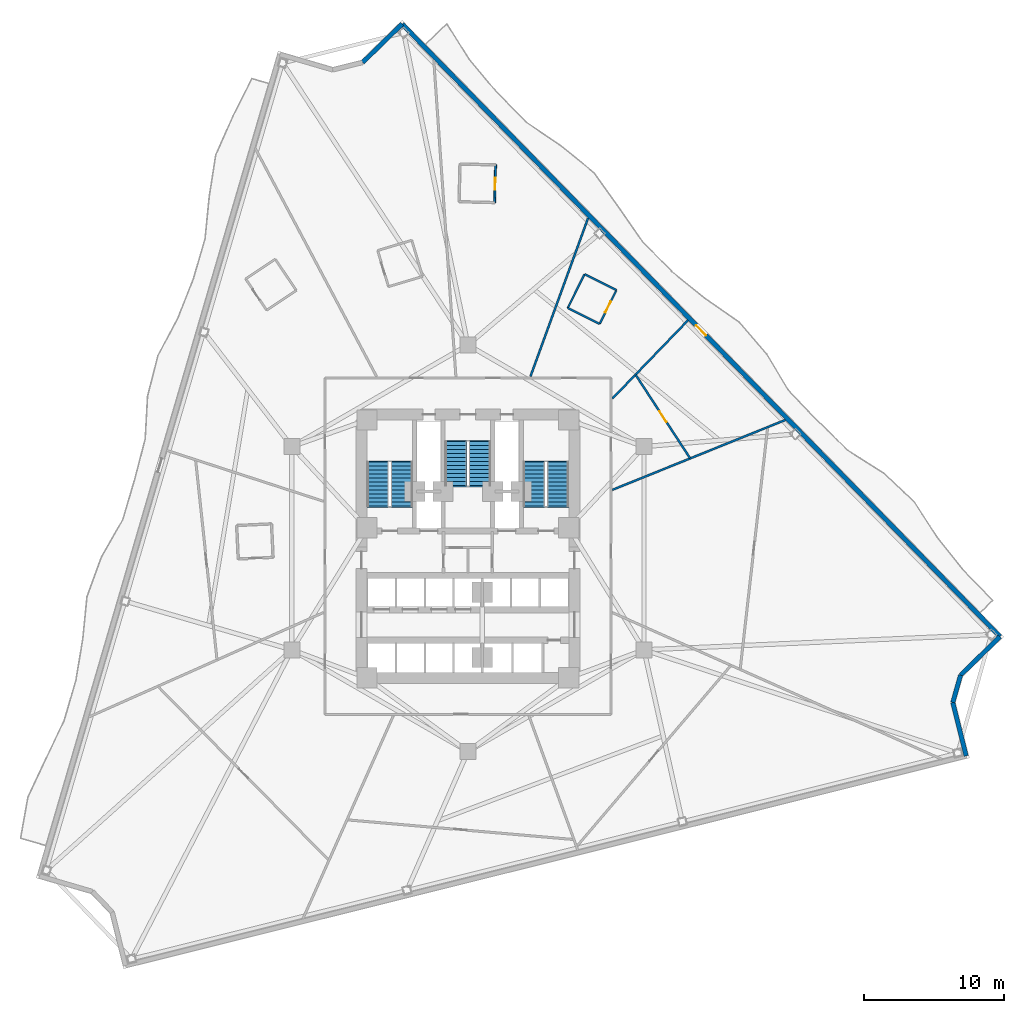
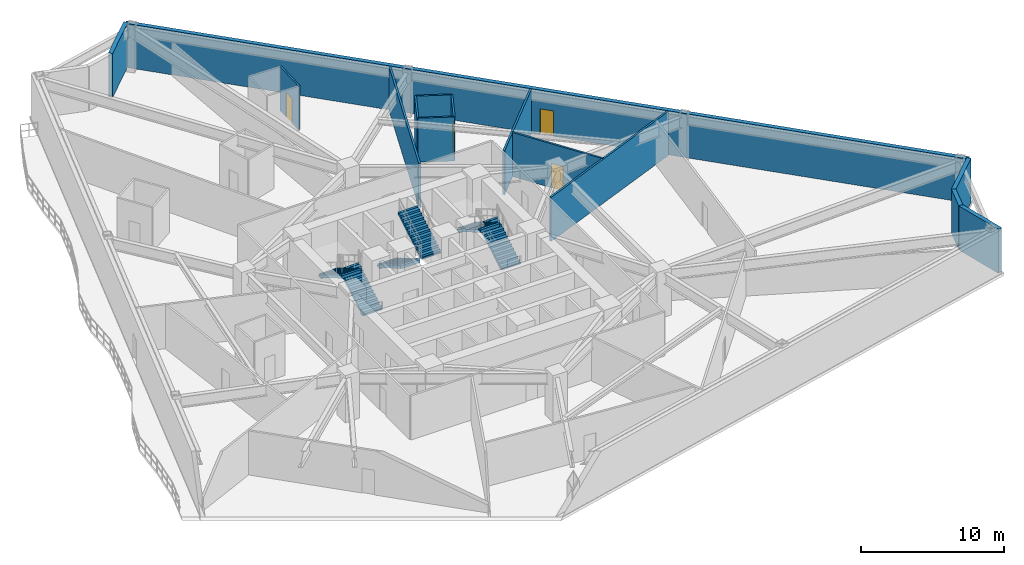
# One storey, part 6 of 9: 14 walls, 6 stair flights, 4 doors, 4 openings, 3 elements without a shape of their own.
"""IFC4 building model written with IfcOpenShell, lengths in metres."""

from ifc_helpers import new_model, si_unit, direction, frame, frame_2d, origin, place, context, subcontext, project, spatial, polyline, rectangle, outline, extrude, material, layer, layer_set, type_object, element, fill, aggregate, save


model = new_model("IFC4")

# Units and contexts
model_context = context("Model", 3, precision=1e-05, world=origin(), true_north=direction((0.0, 1.0)))
body_context = subcontext(model_context, "Body", "Model", "MODEL_VIEW")
ifc_project = project(units=[si_unit("LENGTHUNIT", "METRE"), si_unit("AREAUNIT", "SQUARE_METRE"), si_unit("VOLUMEUNIT", "CUBIC_METRE"), si_unit("PLANEANGLEUNIT", "RADIAN"), si_unit("MASSUNIT", "GRAM", prefix="KILO")], contexts=[model_context])

# Site, building, storey
site_placement = place(None, origin())
site = spatial("IfcSite", under=ifc_project, at=site_placement, CompositionType="ELEMENT")
building_placement = place(site_placement, origin())
building = spatial("IfcBuilding", under=site, at=building_placement, Name="Apsidion Concourse Tower", CompositionType="ELEMENT")
storey_placement = place(building_placement, frame((0.0, 0.0, 103.0)))
storey = spatial("IfcBuildingStorey", under=building, at=storey_placement, Name="L23", CompositionType="ELEMENT", Elevation=103.0)

# Wall, opening, door
ifc_material_1 = material(Name="Precast concrete C40/50", Category="concrete")
ifc_layer_1 = layer(ifc_material_1, 0.320068359375)
ifc_layer_set_1 = layer_set([ifc_layer_1], Name="Precast concrete C40/50")
wall_type_1 = type_object("IfcWallType", Name="WL-EXT-320", PredefinedType="STANDARD", material=ifc_layer_set_1)
wall_1_placement = place(storey_placement, frame((-4.6982421875, 37.40185546875, 0.0), z_axis=(0.0, 0.0, 1.0), x_axis=(0.698490621109, -0.715619208954, 0.0)))
wall_1 = element("IfcWall", 1, at=wall_1_placement, inside=storey, type_object=wall_type_1, Name="L23 Precast Stone Facade Wall 01", PredefinedType="STANDARD", context=body_context, shape_type="SweptSolid", body=[
    extrude(rectangle(XDim=61.075927734375, YDim=0.320068359375, at=frame_2d((30.5380859375, 0.0))), origin(), (0.0, 0.0, 1.0), 3.75),
])
opening_1_placement = place(wall_1_placement, frame((30.037841796875, 0.0, 0.0)))
opening_1 = element("IfcOpeningElement", 2, at=opening_1_placement, cuts=wall_1, Name="Opening D-T1R", PredefinedType="OPENING", context=body_context, shape_type="SweptSolid", body=[
    extrude(rectangle(XDim=1.0, YDim=2.14990234375, at=frame_2d((0.5, 1.074951171875))), frame((0.0, 0.169921875, 0.0), z_axis=(0.0, -1.0, 0.0), x_axis=(1.0, 0.0, 0.0)), (0.0, 0.0, 1.0), 0.340087890625),
])
ifc_material_2 = material(Name="Anodised aluminium EN AW-6063 T6", Category="aluminium")
door_type_1 = type_object("IfcDoorType", Name="DR-TER-1022R", OperationType="SINGLE_SWING_RIGHT", PredefinedType="DOOR", material=ifc_material_2)
door_1_placement = place(opening_1_placement, origin())
door_1 = element("IfcDoor", 3, at=door_1_placement, inside=storey, type_object=door_type_1, Name="L23 Balcony Access Door 1", OperationType="SINGLE_SWING_RIGHT", OverallHeight=2.14990234375, OverallWidth=1.0, PredefinedType="DOOR", context=body_context, shape_type="SweptSolid", body=[
    extrude(rectangle(XDim=1.0, YDim=2.14990234375, at=frame_2d((0.5, 1.074951171875))), frame((0.0, 0.02490234375, 0.0), z_axis=(0.0, -1.0, 0.0), x_axis=(1.0, 0.0, 0.0)), (0.0, 0.0, 1.0), 0.050048828125),
])
fill(opening_1, door_1)

# Walls
wall_2_placement = place(storey_placement, frame((37.962646484375, -6.30517578125, 0.0), z_axis=(0.0, 0.0, 1.0), x_axis=(-0.71562223009, -0.698487525873, 0.0)))
element("IfcWall", 4, at=wall_2_placement, inside=storey, type_object=wall_type_1, Name="L23 Precast Stone Facade Wall 02", PredefinedType="STANDARD", context=body_context, shape_type="SweptSolid", body=[
    extrude(rectangle(XDim=3.9326171875, YDim=0.320068359375, at=frame_2d((1.96630859375, 0.0))), origin(), (0.0, 0.0, 1.0), 3.75),
])
wall_3_placement = place(storey_placement, frame((35.1484375, -9.052001953125, 0.0), z_axis=(0.0, 0.0, 1.0), x_axis=(-0.27306692697, -0.961995038134, 0.0)))
element("IfcWall", 5, at=wall_3_placement, inside=storey, type_object=wall_type_1, Name="L23 Precast Stone Facade Wall 03", PredefinedType="STANDARD", context=body_context, shape_type="SweptSolid", body=[
    extrude(rectangle(XDim=2.02783203125, YDim=0.320068359375, at=frame_2d((1.013916015625, 0.0))), origin(), (0.0, 0.0, 1.0), 3.75),
])
wall_4_placement = place(storey_placement, frame((34.5947265625, -11.002685546875, 0.0), z_axis=(0.0, 0.0, 1.0), x_axis=(0.241936662418, -0.970292044375, 0.0)))
element("IfcWall", 6, at=wall_4_placement, inside=storey, type_object=wall_type_1, Name="L23 Precast Stone Facade Wall 04", PredefinedType="STANDARD", context=body_context, shape_type="SweptSolid", body=[
    extrude(rectangle(XDim=3.9326171875, YDim=0.320068359375, at=frame_2d((1.96630859375, 0.0))), origin(), (0.0, 0.0, 1.0), 3.75),
])
wall_5_placement = place(storey_placement, frame((-7.51318359375, 34.654296875, 0.0), z_axis=(0.0, 0.0, 1.0), x_axis=(0.715620001602, 0.698489809022, 0.0)))
element("IfcWall", 7, at=wall_5_placement, inside=storey, type_object=wall_type_1, Name="L23 Precast Stone Facade Wall 12", PredefinedType="STANDARD", context=body_context, shape_type="SweptSolid", body=[
    extrude(rectangle(XDim=3.93359375, YDim=0.320068359375, at=frame_2d((1.966796875, 0.0))), origin(), (0.0, 0.0, 1.0), 3.75),
])

# Wall, opening, door
ifc_material_3 = material(Name="Gypsum plasterboard partition")
ifc_layer_2 = layer(ifc_material_3, 0.139892578125)
ifc_layer_set_2 = layer_set([ifc_layer_2], Name="Gypsum plasterboard partition")
wall_type_2 = type_object("IfcWallType", Name="WL-INT-PAR-140", PredefinedType="PARTITIONING", material=ifc_layer_set_2)
wall_6_placement = place(storey_placement, frame((9.3955078125, 16.00537109375, 0.0), z_axis=(0.0, 0.0, 1.0), x_axis=(0.446160506645, 0.894952960949, 0.0)))
wall_6 = element("IfcWall", 8, at=wall_6_placement, inside=storey, type_object=wall_type_2, Name="L23 Interior Partition WL-L23-POD-ENS06-S1", PredefinedType="PARTITIONING", context=body_context, shape_type="SweptSolid", body=[
    extrude(rectangle(XDim=2.68994140625, YDim=0.139892578125, at=frame_2d((1.344970703125, 0.0))), origin(), (0.0, 0.0, 1.0), 3.75),
])
opening_2_placement = place(wall_6_placement, frame((0.905029296875, 0.0, 0.0)))
opening_2 = element("IfcOpeningElement", 9, at=opening_2_placement, cuts=wall_6, Name="Opening D-03L", PredefinedType="OPENING", context=body_context, shape_type="SweptSolid", body=[
    extrude(rectangle(XDim=0.8798828125, YDim=2.10009765625, at=frame_2d((0.43994140625, 1.050048828125))), frame((0.0, 0.080078125, 0.0), z_axis=(0.0, -1.0, 0.0), x_axis=(1.0, 0.0, 0.0)), (0.0, 0.0, 1.0), 0.159912109375),
])
door_type_2 = type_object("IfcDoorType", Name="DR-INT-D03L", OperationType="SINGLE_SWING_LEFT", PredefinedType="DOOR", material=ifc_material_2)
door_2_placement = place(opening_2_placement, origin())
door_2 = element("IfcDoor", 10, at=door_2_placement, inside=storey, type_object=door_type_2, Name="L23 Guest En-Suite Bathroom Door ENS06", OperationType="SINGLE_SWING_LEFT", OverallHeight=2.10009765625, OverallWidth=0.8798828125, PredefinedType="DOOR", context=body_context, shape_type="SweptSolid", body=[
    extrude(rectangle(XDim=0.8798828125, YDim=2.10009765625, at=frame_2d((0.43994140625, 1.050048828125))), frame((0.0, 0.02490234375, 0.0), z_axis=(0.0, -1.0, 0.0), x_axis=(1.0, 0.0, 0.0)), (0.0, 0.0, 1.0), 0.050048828125),
])
fill(opening_2, door_2)

# Walls
wall_7_placement = place(storey_placement, frame((10.595703125, 18.412841796875, 0.0), z_axis=(0.0, 0.0, 1.0), x_axis=(-0.894926483842, 0.446213613103, 0.0)))
element("IfcWall", 11, at=wall_7_placement, inside=storey, type_object=wall_type_2, Name="L23 Interior Partition WL-L23-POD-ENS06-S2", PredefinedType="PARTITIONING", context=body_context, shape_type="SweptSolid", body=[
    extrude(rectangle(XDim=2.539794921875, YDim=0.139892578125, at=frame_2d((1.27001953125, 0.0))), origin(), (0.0, 0.0, 1.0), 3.75),
])
wall_8_placement = place(storey_placement, frame((8.32275390625, 19.546142578125, 0.0), z_axis=(0.0, 0.0, 1.0), x_axis=(-0.446233193066, -0.894916720933, 0.0)))
element("IfcWall", 12, at=wall_8_placement, inside=storey, type_object=wall_type_2, Name="L23 Interior Partition WL-L23-POD-ENS06-S3", PredefinedType="PARTITIONING", context=body_context, shape_type="SweptSolid", body=[
    extrude(rectangle(XDim=2.690185546875, YDim=0.139892578125, at=frame_2d((1.34521484375, 0.0))), origin(), (0.0, 0.0, 1.0), 3.75),
])
wall_9_placement = place(storey_placement, frame((7.122314453125, 17.138671875, 0.0), z_axis=(0.0, 0.0, 1.0), x_axis=(0.894945620552, -0.446175230437, 0.0)))
element("IfcWall", 13, at=wall_9_placement, inside=storey, type_object=wall_type_2, Name="L23 Interior Partition WL-L23-POD-ENS06-S4", PredefinedType="PARTITIONING", context=body_context, shape_type="SweptSolid", body=[
    extrude(rectangle(XDim=2.5400390625, YDim=0.139892578125, at=frame_2d((1.27001953125, 0.0))), origin(), (0.0, 0.0, 1.0), 3.75),
])

# Wall, opening, door
wall_10_placement = place(storey_placement, frame((1.906005859375, 24.6572265625, 0.0), z_axis=(0.0, 0.0, 1.0), x_axis=(0.026227923811, 0.999655988834, 0.0)))
wall_10 = element("IfcWall", 14, at=wall_10_placement, inside=storey, type_object=wall_type_2, Name="L23 Interior Partition WL-L23-POD-ENS07-S1", PredefinedType="PARTITIONING", context=body_context, shape_type="SweptSolid", body=[
    extrude(rectangle(XDim=2.690185546875, YDim=0.139892578125, at=frame_2d((1.34521484375, 0.0))), origin(), (0.0, 0.0, 1.0), 3.75),
])
opening_3_placement = place(wall_10_placement, frame((0.905029296875, 0.0, 0.0)))
opening_3 = element("IfcOpeningElement", 15, at=opening_3_placement, cuts=wall_10, Name="Opening D-03R", PredefinedType="OPENING", context=body_context, shape_type="SweptSolid", body=[
    extrude(rectangle(XDim=0.8798828125, YDim=2.10009765625, at=frame_2d((0.43994140625, 1.050048828125))), frame((0.0, 0.080078125, 0.0), z_axis=(0.0, -1.0, 0.0), x_axis=(1.0, 0.0, 0.0)), (0.0, 0.0, 1.0), 0.159912109375),
])
door_type_3 = type_object("IfcDoorType", Name="DR-INT-D03R", OperationType="SINGLE_SWING_RIGHT", PredefinedType="DOOR", material=ifc_material_2)
door_3_placement = place(opening_3_placement, origin())
door_3 = element("IfcDoor", 16, at=door_3_placement, inside=storey, type_object=door_type_3, Name="L23 Guest En-Suite Bathroom Door ENS07", OperationType="SINGLE_SWING_RIGHT", OverallHeight=2.10009765625, OverallWidth=0.8798828125, PredefinedType="DOOR", context=body_context, shape_type="SweptSolid", body=[
    extrude(rectangle(XDim=0.8798828125, YDim=2.10009765625, at=frame_2d((0.43994140625, 1.050048828125))), frame((0.0, 0.02490234375, 0.0), z_axis=(0.0, -1.0, 0.0), x_axis=(1.0, 0.0, 0.0)), (0.0, 0.0, 1.0), 0.050048828125),
])
fill(opening_3, door_3)

# Walls
ifc_layer_3 = layer(ifc_material_3, 0.14990234375)
ifc_layer_set_3 = layer_set([ifc_layer_3], Name="Gypsum plasterboard partition")
wall_type_3 = type_object("IfcWallType", Name="WL-INT-PAR-150", PredefinedType="PARTITIONING", material=ifc_layer_set_3)
wall_11_placement = place(storey_placement, frame((10.304931640625, 4.16357421875, 0.0), z_axis=(0.0, 0.0, 1.0), x_axis=(0.927184955732, 0.374603867924, 0.0)))
element("IfcWall", 17, at=wall_11_placement, inside=storey, type_object=wall_type_3, Name="L23 Interior Partition WL-L23-RAD-01-1", PredefinedType="PARTITIONING", context=body_context, shape_type="SweptSolid", body=[
    extrude(rectangle(XDim=13.300537109375, YDim=0.14990234375, at=frame_2d((6.650390625, 0.0))), origin(), (0.0, 0.0, 1.0), 3.75),
])
wall_12_placement = place(storey_placement, frame((10.304931640625, 10.671142578125, 0.0), z_axis=(0.0, 0.0, 1.0), x_axis=(0.694655126392, 0.719342933084, 0.0)))
element("IfcWall", 18, at=wall_12_placement, inside=storey, type_object=wall_type_3, Name="L23 Interior Partition WL-L23-RAD-02-1", PredefinedType="PARTITIONING", context=body_context, shape_type="SweptSolid", body=[
    extrude(rectangle(XDim=7.762939453125, YDim=0.14990234375, at=frame_2d((3.88134765625, 0.0))), origin(), (0.0, 0.0, 1.0), 3.75),
])
wall_13_placement = place(storey_placement, frame((4.46044921875, 12.2548828125, 0.0), z_axis=(0.0, 0.0, 1.0), x_axis=(0.34202669869, 0.939690234802, 0.0)))
element("IfcWall", 19, at=wall_13_placement, inside=storey, type_object=wall_type_3, Name="L23 Interior Partition WL-L23-RAD-03-1", PredefinedType="PARTITIONING", context=body_context, shape_type="SweptSolid", body=[
    extrude(rectangle(XDim=12.024658203125, YDim=0.14990234375, at=frame_2d((6.01220703125, 0.0))), origin(), (0.0, 0.0, 1.0), 3.75),
])

# Wall, opening, door
wall_14_placement = place(storey_placement, frame((15.84521484375, 6.4287109375, 0.0), z_axis=(0.0, 0.0, 1.0), x_axis=(-0.546642971472, 0.8373657873, 0.0)))
wall_14 = element("IfcWall", 20, at=wall_14_placement, inside=storey, type_object=wall_type_3, Name="L23 Interior Partition WL-L23-CHD-H8G05", PredefinedType="PARTITIONING", context=body_context, shape_type="SweptSolid", body=[
    extrude(rectangle(XDim=7.085205078125, YDim=0.14990234375, at=frame_2d((3.54248046875, 0.0))), origin(), (0.0, 0.0, 1.0), 3.75),
])
opening_4_placement = place(wall_14_placement, frame((3.092529296875, 0.0, 0.0)))
opening_4 = element("IfcOpeningElement", 21, at=opening_4_placement, cuts=wall_14, Name="Opening D-02R", PredefinedType="OPENING", context=body_context, shape_type="SweptSolid", body=[
    extrude(rectangle(XDim=0.89990234375, YDim=2.10009765625, at=frame_2d((0.449951171875, 1.050048828125))), frame((0.0, 0.0849609375, 0.0), z_axis=(0.0, -1.0, 0.0), x_axis=(1.0, 0.0, 0.0)), (0.0, 0.0, 1.0), 0.169921875),
])
door_type_4 = type_object("IfcDoorType", Name="DR-INT-D02R", OperationType="SINGLE_SWING_RIGHT", PredefinedType="DOOR", material=ifc_material_2)
door_4_placement = place(opening_4_placement, origin())
door_4 = element("IfcDoor", 22, at=door_4_placement, inside=storey, type_object=door_type_4, Name="L23 Suite Connecting Door H8G05", OperationType="SINGLE_SWING_RIGHT", OverallHeight=2.10009765625, OverallWidth=0.89990234375, PredefinedType="DOOR", context=body_context, shape_type="SweptSolid", body=[
    extrude(rectangle(XDim=0.89990234375, YDim=2.10009765625, at=frame_2d((0.449951171875, 1.050048828125))), frame((0.0, 0.02490234375, 0.0), z_axis=(0.0, -1.0, 0.0), x_axis=(1.0, 0.0, 0.0)), (0.0, 0.0, 1.0), 0.050048828125),
])
fill(opening_4, door_4)

# Stair, stair flights
stair_type = type_object("IfcStairType", Name="ST-DL-1550", PredefinedType="HALF_TURN_STAIR", material=ifc_material_1)
stair_1_placement = place(storey_placement, origin())
stair_1 = element("IfcStair", 23, at=stair_1_placement, inside=storey, type_object=stair_type, Name="L23 Protected Core Exit Stair ST1", PredefinedType="HALF_TURN_STAIR")
stair_flight_type = type_object("IfcStairFlightType", Name="SFL-RC-1550", PredefinedType="STRAIGHT", material=ifc_material_1)
stair_flight_1_placement = place(storey_placement, frame((-4.72509765625, 3.0, 0.0), z_axis=(0.0, 0.0, 1.0), x_axis=(0.0, 1.0, 0.0)))
stair_flight_1 = element("IfcStairFlight", 24, at=stair_flight_1_placement, type_object=stair_flight_type, Name="ST1 flight 1", NumberOfRisers=12, NumberOfTreads=11, PredefinedType="STRAIGHT", RiserHeight=0.166666667, TreadLength=0.285, context=body_context, shape_type="SweptSolid", body=[
    extrude(outline(polyline([(-0.080078125, -0.1123046875), (-0.080078125, 0.0), (0.0, 0.0), (0.0, 0.166748046875), (0.284912109375, 0.166748046875), (0.284912109375, 0.333251953125), (0.570068359375, 0.333251953125), (0.570068359375, 0.5), (0.85498046875, 0.5), (0.85498046875, 0.666748046875), (1.139892578125, 0.666748046875), (1.139892578125, 0.833251953125), (1.425048828125, 0.833251953125), (1.425048828125, 1.0), (1.7099609375, 1.0), (1.7099609375, 1.166748046875), (1.9951171875, 1.166748046875), (1.9951171875, 1.333251953125), (2.280029296875, 1.333251953125), (2.280029296875, 1.5), (2.56494140625, 1.5), (2.56494140625, 1.666748046875), (2.85009765625, 1.666748046875), (2.85009765625, 1.833251953125), (3.135009765625, 1.833251953125), (3.135009765625, 2.0), (3.215087890625, 1.916748046875), (3.215087890625, 1.65966796875), (3.135009765625, 1.65966796875), (0.296875, 0.0), (0.296875, -0.1123046875), (-0.080078125, -0.1123046875)])), frame((0.0, 0.77490234375, 0.0), z_axis=(0.0, -1.0, 0.0), x_axis=(1.0, 0.0, 0.0)), (0.0, 0.0, 1.0), 1.550048828125),
])
stair_flight_2_placement = place(storey_placement, frame((-6.425048828125, 6.135009765625, 2.0), z_axis=(0.0, 0.0, 1.0), x_axis=(0.0, -1.0, 0.0)))
stair_flight_2 = element("IfcStairFlight", 25, at=stair_flight_2_placement, type_object=stair_flight_type, Name="ST1 flight 2", NumberOfRisers=12, NumberOfTreads=11, PredefinedType="STRAIGHT", RiserHeight=0.166666667, TreadLength=0.285, context=body_context, shape_type="SweptSolid", body=[
    extrude(outline(polyline([(-0.080078125, -0.1123046875), (-0.080078125, 0.0), (0.0, 0.0), (0.0, 0.166748046875), (0.284912109375, 0.166748046875), (0.284912109375, 0.333251953125), (0.570068359375, 0.333251953125), (0.570068359375, 0.5), (0.85498046875, 0.5), (0.85498046875, 0.666748046875), (1.139892578125, 0.666748046875), (1.139892578125, 0.833251953125), (1.425048828125, 0.833251953125), (1.425048828125, 1.0), (1.7099609375, 1.0), (1.7099609375, 1.166748046875), (1.9951171875, 1.166748046875), (1.9951171875, 1.333251953125), (2.280029296875, 1.333251953125), (2.280029296875, 1.5), (2.56494140625, 1.5), (2.56494140625, 1.666748046875), (2.85009765625, 1.666748046875), (2.85009765625, 1.833251953125), (3.135009765625, 1.833251953125), (3.135009765625, 2.0), (3.215087890625, 1.916748046875), (3.215087890625, 1.65966796875), (3.135009765625, 1.65966796875), (0.296875, 0.0), (0.296875, -0.1123046875), (-0.080078125, -0.1123046875)])), frame((0.0, 0.77490234375, 0.0), z_axis=(0.0, -1.0, 0.0), x_axis=(1.0, 0.0, 0.0)), (0.0, 0.0, 1.0), 1.550048828125),
])
aggregate(stair_1, [stair_flight_1, stair_flight_2])

stair_2_placement = place(storey_placement, origin())
stair_2 = element("IfcStair", 26, at=stair_2_placement, inside=storey, type_object=stair_type, Name="L23 Protected Core Exit Stair ST2", PredefinedType="HALF_TURN_STAIR")
stair_flight_3_placement = place(storey_placement, frame((6.425048828125, 3.0, 0.0), z_axis=(0.0, 0.0, 1.0), x_axis=(0.0, 1.0, 0.0)))
stair_flight_3 = element("IfcStairFlight", 27, at=stair_flight_3_placement, type_object=stair_flight_type, Name="ST2 flight 1", NumberOfRisers=12, NumberOfTreads=11, PredefinedType="STRAIGHT", RiserHeight=0.166666667, TreadLength=0.285, context=body_context, shape_type="SweptSolid", body=[
    extrude(outline(polyline([(-0.080078125, -0.1123046875), (-0.080078125, 0.0), (0.0, 0.0), (0.0, 0.166748046875), (0.284912109375, 0.166748046875), (0.284912109375, 0.333251953125), (0.570068359375, 0.333251953125), (0.570068359375, 0.5), (0.85498046875, 0.5), (0.85498046875, 0.666748046875), (1.139892578125, 0.666748046875), (1.139892578125, 0.833251953125), (1.425048828125, 0.833251953125), (1.425048828125, 1.0), (1.7099609375, 1.0), (1.7099609375, 1.166748046875), (1.9951171875, 1.166748046875), (1.9951171875, 1.333251953125), (2.280029296875, 1.333251953125), (2.280029296875, 1.5), (2.56494140625, 1.5), (2.56494140625, 1.666748046875), (2.85009765625, 1.666748046875), (2.85009765625, 1.833251953125), (3.135009765625, 1.833251953125), (3.135009765625, 2.0), (3.215087890625, 1.916748046875), (3.215087890625, 1.65966796875), (3.135009765625, 1.65966796875), (0.296875, 0.0), (0.296875, -0.1123046875), (-0.080078125, -0.1123046875)])), frame((0.0, 0.77490234375, 0.0), z_axis=(0.0, -1.0, 0.0), x_axis=(1.0, 0.0, 0.0)), (0.0, 0.0, 1.0), 1.550048828125),
])
stair_flight_4_placement = place(storey_placement, frame((4.72509765625, 6.135009765625, 2.0), z_axis=(0.0, 0.0, 1.0), x_axis=(0.0, -1.0, 0.0)))
stair_flight_4 = element("IfcStairFlight", 28, at=stair_flight_4_placement, type_object=stair_flight_type, Name="ST2 flight 2", NumberOfRisers=12, NumberOfTreads=11, PredefinedType="STRAIGHT", RiserHeight=0.166666667, TreadLength=0.285, context=body_context, shape_type="SweptSolid", body=[
    extrude(outline(polyline([(-0.080078125, -0.1123046875), (-0.080078125, 0.0), (0.0, 0.0), (0.0, 0.166748046875), (0.284912109375, 0.166748046875), (0.284912109375, 0.333251953125), (0.570068359375, 0.333251953125), (0.570068359375, 0.5), (0.85498046875, 0.5), (0.85498046875, 0.666748046875), (1.139892578125, 0.666748046875), (1.139892578125, 0.833251953125), (1.425048828125, 0.833251953125), (1.425048828125, 1.0), (1.7099609375, 1.0), (1.7099609375, 1.166748046875), (1.9951171875, 1.166748046875), (1.9951171875, 1.333251953125), (2.280029296875, 1.333251953125), (2.280029296875, 1.5), (2.56494140625, 1.5), (2.56494140625, 1.666748046875), (2.85009765625, 1.666748046875), (2.85009765625, 1.833251953125), (3.135009765625, 1.833251953125), (3.135009765625, 2.0), (3.215087890625, 1.916748046875), (3.215087890625, 1.65966796875), (3.135009765625, 1.65966796875), (0.296875, 0.0), (0.296875, -0.1123046875), (-0.080078125, -0.1123046875)])), frame((0.0, 0.77490234375, 0.0), z_axis=(0.0, -1.0, 0.0), x_axis=(1.0, 0.0, 0.0)), (0.0, 0.0, 1.0), 1.550048828125),
])
aggregate(stair_2, [stair_flight_3, stair_flight_4])

stair_3_placement = place(storey_placement, origin())
stair_3 = element("IfcStair", 29, at=stair_3_placement, inside=storey, type_object=stair_type, Name="L23 Protected Core Exit Stair ST3", PredefinedType="HALF_TURN_STAIR")
stair_flight_5_placement = place(storey_placement, frame((-0.85009765625, 7.60009765625, 0.0), z_axis=(0.0, 0.0, 1.0), x_axis=(0.0, -1.0, 0.0)))
stair_flight_5 = element("IfcStairFlight", 30, at=stair_flight_5_placement, type_object=stair_flight_type, Name="ST3 flight 1", NumberOfRisers=12, NumberOfTreads=11, PredefinedType="STRAIGHT", RiserHeight=0.166666667, TreadLength=0.285, context=body_context, shape_type="SweptSolid", body=[
    extrude(outline(polyline([(-0.080078125, -0.1123046875), (-0.080078125, 0.0), (0.0, 0.0), (0.0, 0.166748046875), (0.284912109375, 0.166748046875), (0.284912109375, 0.333251953125), (0.570068359375, 0.333251953125), (0.570068359375, 0.5), (0.85498046875, 0.5), (0.85498046875, 0.666748046875), (1.139892578125, 0.666748046875), (1.139892578125, 0.833251953125), (1.425048828125, 0.833251953125), (1.425048828125, 1.0), (1.7099609375, 1.0), (1.7099609375, 1.166748046875), (1.9951171875, 1.166748046875), (1.9951171875, 1.333251953125), (2.280029296875, 1.333251953125), (2.280029296875, 1.5), (2.56494140625, 1.5), (2.56494140625, 1.666748046875), (2.85009765625, 1.666748046875), (2.85009765625, 1.833251953125), (3.135009765625, 1.833251953125), (3.135009765625, 2.0), (3.215087890625, 1.916748046875), (3.215087890625, 1.65966796875), (3.135009765625, 1.65966796875), (0.296875, 0.0), (0.296875, -0.1123046875), (-0.080078125, -0.1123046875)])), frame((0.0, 0.77490234375, 0.0), z_axis=(0.0, -1.0, 0.0), x_axis=(1.0, 0.0, 0.0)), (0.0, 0.0, 1.0), 1.550048828125),
])
stair_flight_6_placement = place(storey_placement, frame((0.85009765625, 4.465087890625, 2.0), z_axis=(0.0, 0.0, 1.0), x_axis=(0.0, 1.0, 0.0)))
stair_flight_6 = element("IfcStairFlight", 31, at=stair_flight_6_placement, type_object=stair_flight_type, Name="ST3 flight 2", NumberOfRisers=12, NumberOfTreads=11, PredefinedType="STRAIGHT", RiserHeight=0.166666667, TreadLength=0.285, context=body_context, shape_type="SweptSolid", body=[
    extrude(outline(polyline([(-0.080078125, -0.1123046875), (-0.080078125, 0.0), (0.0, 0.0), (0.0, 0.166748046875), (0.284912109375, 0.166748046875), (0.284912109375, 0.333251953125), (0.570068359375, 0.333251953125), (0.570068359375, 0.5), (0.85498046875, 0.5), (0.85498046875, 0.666748046875), (1.139892578125, 0.666748046875), (1.139892578125, 0.833251953125), (1.425048828125, 0.833251953125), (1.425048828125, 1.0), (1.7099609375, 1.0), (1.7099609375, 1.166748046875), (1.9951171875, 1.166748046875), (1.9951171875, 1.333251953125), (2.280029296875, 1.333251953125), (2.280029296875, 1.5), (2.56494140625, 1.5), (2.56494140625, 1.666748046875), (2.85009765625, 1.666748046875), (2.85009765625, 1.833251953125), (3.135009765625, 1.833251953125), (3.135009765625, 2.0), (3.215087890625, 1.916748046875), (3.215087890625, 1.65966796875), (3.135009765625, 1.65966796875), (0.296875, 0.0), (0.296875, -0.1123046875), (-0.080078125, -0.1123046875)])), frame((0.0, 0.77490234375, 0.0), z_axis=(0.0, -1.0, 0.0), x_axis=(1.0, 0.0, 0.0)), (0.0, 0.0, 1.0), 1.550048828125),
])
aggregate(stair_3, [stair_flight_5, stair_flight_6])

save(model, "model.ifc")
